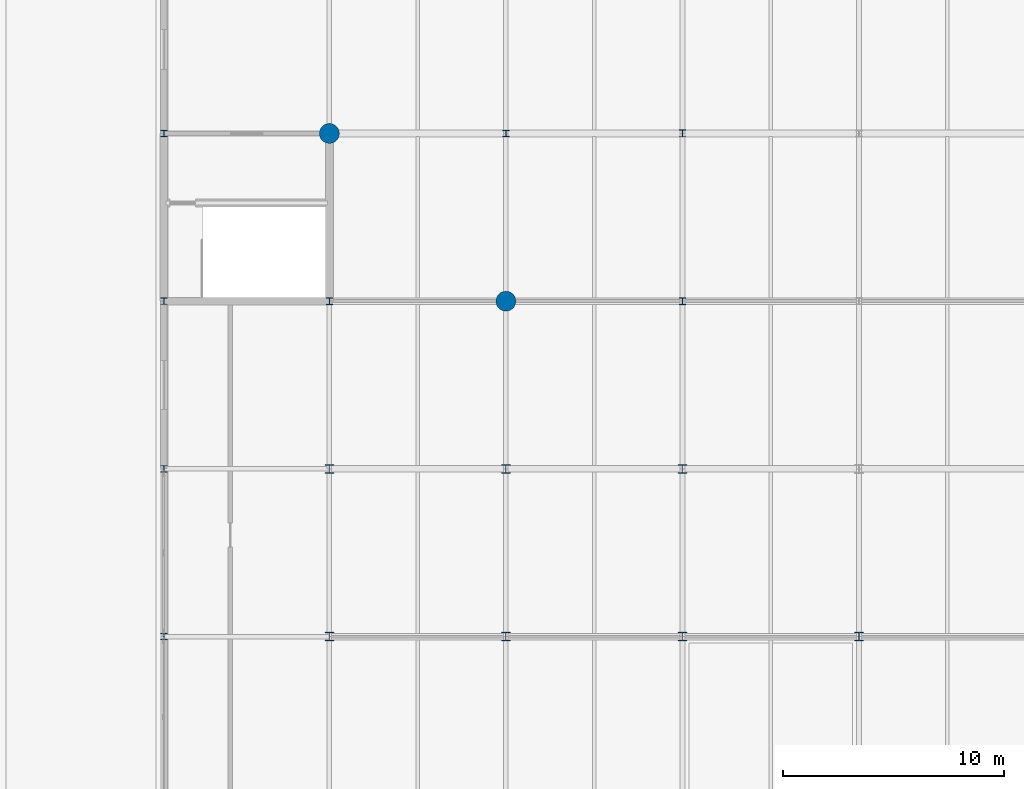
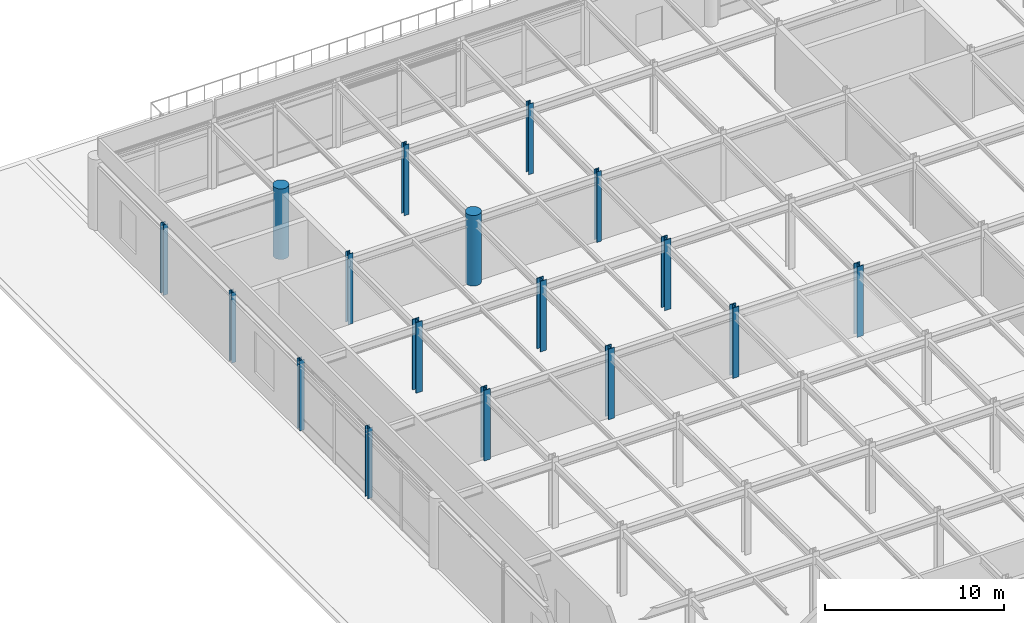
# One storey, part 3 of 43: 17 columns.
"""IFC4 building model written with IfcOpenShell, lengths in metres."""

from ifc_helpers import new_model, si_unit, direction, frame, origin, origin_2d, place, context, subcontext, project, spatial, circle, i_section, extrude, material, material_profile, profile_set, type_object, element, save


model = new_model("IFC4")

# Units and contexts
model_context = context("Model", 3, precision=1e-05, world=origin(), true_north=direction((0.0, 1.0)))
body_context = subcontext(model_context, "Body", "Model", "MODEL_VIEW")
ifc_project = project(units=[si_unit("LENGTHUNIT", "METRE"), si_unit("AREAUNIT", "SQUARE_METRE"), si_unit("VOLUMEUNIT", "CUBIC_METRE"), si_unit("PLANEANGLEUNIT", "RADIAN"), si_unit("MASSUNIT", "GRAM", prefix="KILO")], contexts=[model_context])

# Site, building, storey
site_placement = place(None, origin())
site = spatial("IfcSite", under=ifc_project, at=site_placement, CompositionType="ELEMENT")
building_placement = place(site_placement, origin())
building = spatial("IfcBuilding", under=site, at=building_placement, Name="Shalkamar Park Central Library", CompositionType="ELEMENT")
storey_placement = place(building_placement, frame((0.0, 0.0, 15.60009765625)))
storey = spatial("IfcBuildingStorey", under=building, at=storey_placement, Name="L04", CompositionType="ELEMENT", Elevation=15.60009765625)

# Columns
ifc_material_1 = material(Name="Concrete C40/50", Category="concrete")
ifc_material_profile_1 = material_profile(ifc_material_1, circle(Radius=0.449951171875, at=origin_2d()), Name="RC D900")
ifc_profile_set_1 = profile_set([ifc_material_profile_1], Name="Concrete C40/50")
column_type_1 = type_object("IfcColumnType", Name="Column Concrete RCD900", PredefinedType="COLUMN", material=ifc_profile_set_1)
for number, where, z_axis, x_axis, name in (
    (1, (165.0, 308.39990234375, 0.0), (0.0, 0.0, 1.0), (1.0, 0.0, 0.0), "Column 07/K (L04)"),
    (2, (173.0, 300.800048828125, 0.0), (0.0, 0.0, 1.0), (1.0, 0.0, 0.0), "Column 08/J (L04)"),
):
    element("IfcColumn", number, at=place(storey_placement, frame(where, z_axis=z_axis, x_axis=x_axis)), inside=storey, type_object=column_type_1, Name=name, PredefinedType="COLUMN", context=body_context, shape_type="SweptSolid", body=[
        extrude(circle(Radius=0.449951171875, at=origin_2d()), origin(), (0.0, 0.0, 1.0), 4.7998046875),
    ])
ifc_material_2 = material(Name="Steel S355", Category="steel")
ifc_material_profile_2 = material_profile(ifc_material_2, i_section(OverallWidth=0.40087890625, OverallDepth=0.39892578125, WebThickness=0.02490234375, FlangeThickness=0.03955078125, FilletRadius=0.014892578125, at=origin_2d()), Name="HD 400x314")
ifc_profile_set_2 = profile_set([ifc_material_profile_2], Name="Steel S355")
column_type_2 = type_object("IfcColumnType", Name="Column Steel HD400x314", PredefinedType="COLUMN", material=ifc_profile_set_2)
for number, where, z_axis, x_axis, name in (
    (3, (173.0, 285.60009765625, 0.0), (0.0, 0.0, 1.0), (1.0, 0.0, 0.0), "Column 08/G (L04)"),
    (4, (173.0, 293.199951171875, 0.0), (0.0, 0.0, 1.0), (1.0, 0.0, 0.0), "Column 08/H (L04)"),
    (5, (181.0, 285.60009765625, 0.0), (0.0, 0.0, 1.0), (1.0, 0.0, 0.0), "Column 09/G (L04)"),
    (6, (181.0, 293.199951171875, 0.0), (0.0, 0.0, 1.0), (1.0, 0.0, 0.0), "Column 09/H (L04)"),
    (7, (189.0, 285.60009765625, 0.0), (0.0, 0.0, 1.0), (1.0, 0.0, 0.0), "Column 10/G (L04)"),
):
    element("IfcColumn", number, at=place(storey_placement, frame(where, z_axis=z_axis, x_axis=x_axis)), inside=storey, type_object=column_type_2, Name=name, PredefinedType="COLUMN", context=body_context, shape_type="SweptSolid", body=[
        extrude(i_section(OverallWidth=0.40087890625, OverallDepth=0.39892578125, WebThickness=0.02490234375, FlangeThickness=0.03955078125, FilletRadius=0.014892578125, at=origin_2d()), origin(), (0.0, 0.0, 1.0), 4.7998046875),
    ])
ifc_material_profile_3 = material_profile(ifc_material_2, i_section(OverallWidth=0.406005859375, OverallDepth=0.416015625, WebThickness=0.02978515625, FlangeThickness=0.048095703125, FilletRadius=0.014892578125, at=origin_2d()), Name="HD 400x382")
ifc_profile_set_3 = profile_set([ifc_material_profile_3], Name="Steel S355")
column_type_3 = type_object("IfcColumnType", Name="Column Steel HD400x382", PredefinedType="COLUMN", material=ifc_profile_set_3)
for number, where, z_axis, x_axis, name in (
    (8, (165.0, 285.60009765625, 0.0), (0.0, 0.0, 1.0), (1.0, 0.0, 0.0), "Column 07/G (L04)"),
    (9, (165.0, 293.199951171875, 0.0), (0.0, 0.0, 1.0), (1.0, 0.0, 0.0), "Column 07/H (L04)"),
):
    element("IfcColumn", number, at=place(storey_placement, frame(where, z_axis=z_axis, x_axis=x_axis)), inside=storey, type_object=column_type_3, Name=name, PredefinedType="COLUMN", context=body_context, shape_type="SweptSolid", body=[
        extrude(i_section(OverallWidth=0.406005859375, OverallDepth=0.416015625, WebThickness=0.02978515625, FlangeThickness=0.048095703125, FilletRadius=0.014892578125, at=origin_2d()), origin(), (0.0, 0.0, 1.0), 4.7998046875),
    ])
ifc_material_profile_4 = material_profile(ifc_material_2, i_section(OverallWidth=0.300048828125, OverallDepth=0.300048828125, WebThickness=0.010986328125, FlangeThickness=0.01904296875, FilletRadius=0.027099609375, at=origin_2d()), Name="HEB 300")
ifc_profile_set_4 = profile_set([ifc_material_profile_4], Name="Steel S355")
column_type_4 = type_object("IfcColumnType", Name="Column Steel HEB300", PredefinedType="COLUMN", material=ifc_profile_set_4)
for number, where, z_axis, x_axis, name in (
    (10, (157.5, 285.60009765625, 0.0), (0.0, 0.0, 1.0), (1.0, 0.0, 0.0), "Column 06/G (L04)"),
    (11, (157.5, 293.199951171875, 0.0), (0.0, 0.0, 1.0), (1.0, 0.0, 0.0), "Column 06/H (L04)"),
    (12, (157.5, 300.800048828125, 0.0), (0.0, 0.0, 1.0), (1.0, 0.0, 0.0), "Column 06/J (L04)"),
    (13, (157.5, 308.39990234375, 0.0), (0.0, 0.0, 1.0), (1.0, 0.0, 0.0), "Column 06/K (L04)"),
    (14, (173.0, 308.39990234375, 0.0), (0.0, 0.0, 1.0), (1.0, 0.0, 0.0), "Column 08/K (L04)"),
):
    element("IfcColumn", number, at=place(storey_placement, frame(where, z_axis=z_axis, x_axis=x_axis)), inside=storey, type_object=column_type_4, Name=name, PredefinedType="COLUMN", context=body_context, shape_type="SweptSolid", body=[
        extrude(i_section(OverallWidth=0.300048828125, OverallDepth=0.300048828125, WebThickness=0.010986328125, FlangeThickness=0.01904296875, FilletRadius=0.027099609375, at=origin_2d()), origin(), (0.0, 0.0, 1.0), 4.7998046875),
    ])
ifc_material_profile_5 = material_profile(ifc_material_2, i_section(OverallWidth=0.300048828125, OverallDepth=0.320068359375, WebThickness=0.011474609375, FlangeThickness=0.0205078125, FilletRadius=0.027099609375, at=origin_2d()), Name="HEB 320")
ifc_profile_set_5 = profile_set([ifc_material_profile_5], Name="Steel S355")
column_type_5 = type_object("IfcColumnType", Name="Column Steel HEB320", PredefinedType="COLUMN", material=ifc_profile_set_5)
for number, where, z_axis, x_axis, name in (
    (15, (165.0, 300.800048828125, 0.0), (0.0, 0.0, 1.0), (1.0, 0.0, 0.0), "Column 07/J (L04)"),
    (16, (181.0, 300.800048828125, 0.0), (0.0, 0.0, 1.0), (1.0, 0.0, 0.0), "Column 09/J (L04)"),
    (17, (181.0, 308.39990234375, 0.0), (0.0, 0.0, 1.0), (1.0, 0.0, 0.0), "Column 09/K (L04)"),
):
    element("IfcColumn", number, at=place(storey_placement, frame(where, z_axis=z_axis, x_axis=x_axis)), inside=storey, type_object=column_type_5, Name=name, PredefinedType="COLUMN", context=body_context, shape_type="SweptSolid", body=[
        extrude(i_section(OverallWidth=0.300048828125, OverallDepth=0.320068359375, WebThickness=0.011474609375, FlangeThickness=0.0205078125, FilletRadius=0.027099609375, at=origin_2d()), origin(), (0.0, 0.0, 1.0), 4.7998046875),
    ])

save(model, "model.ifc")
